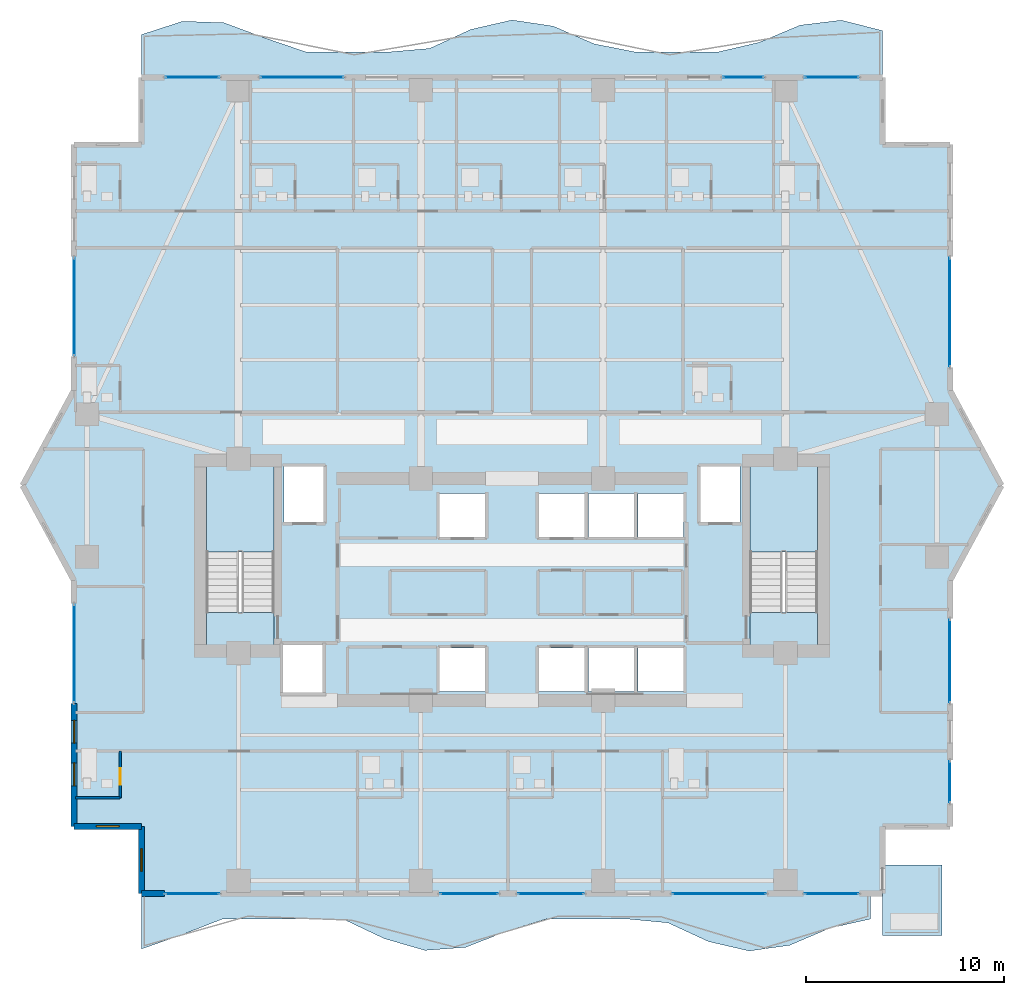
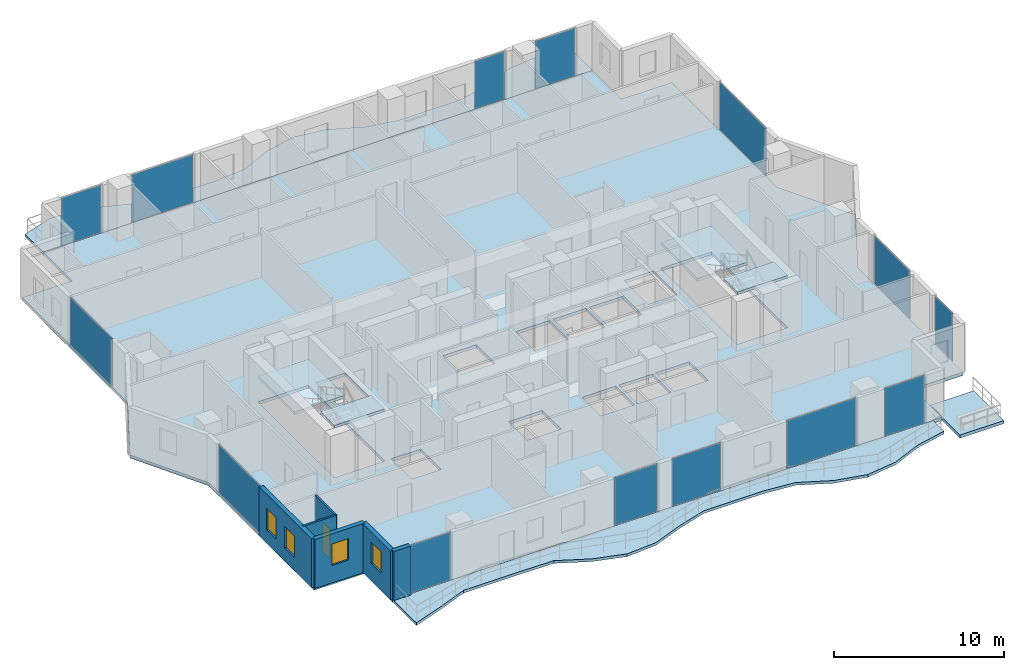
# One storey, part 23 of 33: 14 plates, 8 slabs, 6 walls, 4 windows, 1 door, 5 openings, 16 elements without a shape of their own.
"""IFC4 building model written with IfcOpenShell, lengths in metres."""

from ifc_helpers import new_model, si_unit, direction, frame, frame_2d, origin, origin_2d, place, context, subcontext, project, spatial, polyline, rectangle, outline, extrude, material, layer, layer_set, type_object, element, fill, aggregate, save


model = new_model("IFC4")

# Units and contexts
model_context = context("Model", 3, precision=1e-05, world=origin(), true_north=direction((0.0, 1.0)))
body_context = subcontext(model_context, "Body", "Model", "MODEL_VIEW")
ifc_project = project(units=[si_unit("LENGTHUNIT", "METRE"), si_unit("AREAUNIT", "SQUARE_METRE"), si_unit("VOLUMEUNIT", "CUBIC_METRE"), si_unit("PLANEANGLEUNIT", "RADIAN"), si_unit("MASSUNIT", "GRAM", prefix="KILO")], contexts=[model_context])

# Site, building, storey
site_placement = place(None, origin())
site = spatial("IfcSite", under=ifc_project, at=site_placement, CompositionType="ELEMENT")
building_placement = place(site_placement, origin())
building = spatial("IfcBuilding", under=site, at=building_placement, Name="Zuhayl Quay Hotel", CompositionType="ELEMENT")
storey_placement = place(building_placement, frame((0.0, 0.0, 207.39990234375)))
storey = spatial("IfcBuildingStorey", under=building, at=storey_placement, Name="L52", CompositionType="ELEMENT", Elevation=207.39990234375)

# Curtain wall, plate
ifc_material_1 = material(Name="Anodised Aluminium 6063-T6", Category="aluminium")
ifc_layer_1 = layer(ifc_material_1, 0.175048828125, Name="Anodised Aluminium 6063-T6", Category="aluminium")
ifc_layer_set_1 = layer_set([ifc_layer_1], Name="Anodised Aluminium 6063-T6")
curtain_wall_type = type_object("IfcCurtainWallType", Name="CW_SYS_Z3", PredefinedType="USERDEFINED", material=ifc_layer_set_1)
curtain_wall_1_placement = place(storey_placement, origin())
curtain_wall_1 = element("IfcCurtainWall", 1, at=curtain_wall_1_placement, inside=storey, type_object=curtain_wall_type, Name="L52 Curtain Wall ENV_L52_E02_CW1", ObjectType="UNITISED CURTAIN WALL", PredefinedType="USERDEFINED")
ifc_material_2 = material(Name="Dark Ceramic-Fritted Solar Glass", Category="glass")
ifc_layer_2 = layer(ifc_material_2, 0.0400390625, Name="Dark Ceramic-Fritted Solar Glass", Category="glass")
ifc_layer_set_2 = layer_set([ifc_layer_2], Name="Dark Ceramic-Fritted Solar Glass")
plate_type = type_object("IfcPlateType", Name="PN_OP_VENT_Z3", PredefinedType="CURTAIN_PANEL", material=ifc_layer_set_2)
plate_1_placement = place(storey_placement, frame((-22.10009765625, 4.52490234375, 0.05517578125), z_axis=(0.0, 0.0, 1.0), x_axis=(0.0, 1.0, 0.0)))
plate_1 = element("IfcPlate", 2, at=plate_1_placement, type_object=plate_type, Name="CW-Z3 panel 1.1", PredefinedType="CURTAIN_PANEL", context=body_context, shape_type="SweptSolid", body=[
    extrude(rectangle(XDim=4.919921875, YDim=0.0400390625, at=origin_2d()), origin(), (0.0, 0.0, 1.0), 3.419921875),
])
aggregate(curtain_wall_1, [plate_1])

curtain_wall_2_placement = place(storey_placement, origin())
curtain_wall_2 = element("IfcCurtainWall", 3, at=curtain_wall_2_placement, inside=storey, type_object=curtain_wall_type, Name="L52 Curtain Wall ENV_L52_E05_CW1", ObjectType="UNITISED CURTAIN WALL", PredefinedType="USERDEFINED")
plate_2_placement = place(storey_placement, frame((-22.10009765625, 22.030029296875, 0.05517578125), z_axis=(0.0, 0.0, 1.0), x_axis=(0.0, 1.0, 0.0)))
plate_2 = element("IfcPlate", 4, at=plate_2_placement, type_object=plate_type, Name="CW-Z3 panel 1.1", PredefinedType="CURTAIN_PANEL", context=body_context, shape_type="SweptSolid", body=[
    extrude(rectangle(XDim=4.909912109375, YDim=0.0400390625, at=origin_2d()), origin(), (0.0, 0.0, 1.0), 3.419921875),
])
aggregate(curtain_wall_2, [plate_2])

curtain_wall_3_placement = place(storey_placement, origin())
curtain_wall_3 = element("IfcCurtainWall", 5, at=curtain_wall_3_placement, inside=storey, type_object=curtain_wall_type, Name="L52 Curtain Wall ENV_L52_N_CW1", ObjectType="UNITISED CURTAIN WALL", PredefinedType="USERDEFINED")
plate_3_placement = place(storey_placement, frame((-16.135009765625, 33.60009765625, 0.05517578125), z_axis=(0.0, 0.0, 1.0), x_axis=(1.0, 0.0, 0.0)))
plate_3 = element("IfcPlate", 6, at=plate_3_placement, type_object=plate_type, Name="CW-Z3 panel 1.1", PredefinedType="CURTAIN_PANEL", context=body_context, shape_type="SweptSolid", body=[
    extrude(rectangle(XDim=2.699951171875, YDim=0.0400390625, at=origin_2d()), origin(), (0.0, 0.0, 1.0), 3.419921875),
])
aggregate(curtain_wall_3, [plate_3])

curtain_wall_4_placement = place(storey_placement, origin())
curtain_wall_4 = element("IfcCurtainWall", 7, at=curtain_wall_4_placement, inside=storey, type_object=curtain_wall_type, Name="L52 Curtain Wall ENV_L52_N_CW2", ObjectType="UNITISED CURTAIN WALL", PredefinedType="USERDEFINED")
plate_4_placement = place(storey_placement, frame((-10.60009765625, 33.60009765625, 0.05517578125), z_axis=(0.0, 0.0, 1.0), x_axis=(1.0, 0.0, 0.0)))
plate_4 = element("IfcPlate", 8, at=plate_4_placement, type_object=plate_type, Name="CW-Z3 panel 1.1", PredefinedType="CURTAIN_PANEL", context=body_context, shape_type="SweptSolid", body=[
    extrude(rectangle(XDim=4.169921875, YDim=0.0400390625, at=origin_2d()), origin(), (0.0, 0.0, 1.0), 3.419921875),
])
aggregate(curtain_wall_4, [plate_4])

curtain_wall_5_placement = place(storey_placement, origin())
curtain_wall_5 = element("IfcCurtainWall", 9, at=curtain_wall_5_placement, inside=storey, type_object=curtain_wall_type, Name="L52 Curtain Wall ENV_L52_N_CW3", ObjectType="UNITISED CURTAIN WALL", PredefinedType="USERDEFINED")
plate_5_placement = place(storey_placement, frame((11.672607421875, 33.60009765625, 0.05517578125), z_axis=(0.0, 0.0, 1.0), x_axis=(1.0, 0.0, 0.0)))
plate_5 = element("IfcPlate", 10, at=plate_5_placement, type_object=plate_type, Name="CW-Z3 panel 1.1", PredefinedType="CURTAIN_PANEL", context=body_context, shape_type="SweptSolid", body=[
    extrude(rectangle(XDim=2.02490234375, YDim=0.0400390625, at=origin_2d()), origin(), (0.0, 0.0, 1.0), 3.419921875),
])
aggregate(curtain_wall_5, [plate_5])

curtain_wall_6_placement = place(storey_placement, origin())
curtain_wall_6 = element("IfcCurtainWall", 11, at=curtain_wall_6_placement, inside=storey, type_object=curtain_wall_type, Name="L52 Curtain Wall ENV_L52_N_CW4", ObjectType="UNITISED CURTAIN WALL", PredefinedType="USERDEFINED")
plate_6_placement = place(storey_placement, frame((16.135009765625, 33.60009765625, 0.05517578125), z_axis=(0.0, 0.0, 1.0), x_axis=(1.0, 0.0, 0.0)))
plate_6 = element("IfcPlate", 12, at=plate_6_placement, type_object=plate_type, Name="CW-Z3 panel 1.1", PredefinedType="CURTAIN_PANEL", context=body_context, shape_type="SweptSolid", body=[
    extrude(rectangle(XDim=2.699951171875, YDim=0.0400390625, at=origin_2d()), origin(), (0.0, 0.0, 1.0), 3.419921875),
])
aggregate(curtain_wall_6, [plate_6])

curtain_wall_7_placement = place(storey_placement, origin())
curtain_wall_7 = element("IfcCurtainWall", 13, at=curtain_wall_7_placement, inside=storey, type_object=curtain_wall_type, Name="L52 Curtain Wall ENV_L52_E11_CW1", ObjectType="UNITISED CURTAIN WALL", PredefinedType="USERDEFINED")
plate_7_placement = place(storey_placement, frame((22.10009765625, 21.75, 0.05517578125), z_axis=(0.0, 0.0, 1.0), x_axis=(0.0, -1.0, 0.0)))
plate_7 = element("IfcPlate", 14, at=plate_7_placement, type_object=plate_type, Name="CW-Z3 panel 1.1", PredefinedType="CURTAIN_PANEL", context=body_context, shape_type="SweptSolid", body=[
    extrude(rectangle(XDim=5.469970703125, YDim=0.0400390625, at=origin_2d()), origin(), (0.0, 0.0, 1.0), 3.419921875),
])
aggregate(curtain_wall_7, [plate_7])

curtain_wall_8_placement = place(storey_placement, origin())
curtain_wall_8 = element("IfcCurtainWall", 15, at=curtain_wall_8_placement, inside=storey, type_object=curtain_wall_type, Name="L52 Curtain Wall ENV_L52_E14_CW1", ObjectType="UNITISED CURTAIN WALL", PredefinedType="USERDEFINED")
plate_8_placement = place(storey_placement, frame((22.10009765625, 4.14990234375, 0.05517578125), z_axis=(0.0, 0.0, 1.0), x_axis=(0.0, -1.0, 0.0)))
plate_8 = element("IfcPlate", 16, at=plate_8_placement, type_object=plate_type, Name="CW-Z3 panel 1.1", PredefinedType="CURTAIN_PANEL", context=body_context, shape_type="SweptSolid", body=[
    extrude(rectangle(XDim=4.169921875, YDim=0.0400390625, at=origin_2d()), origin(), (0.0, 0.0, 1.0), 3.419921875),
])
aggregate(curtain_wall_8, [plate_8])

curtain_wall_9_placement = place(storey_placement, origin())
curtain_wall_9 = element("IfcCurtainWall", 17, at=curtain_wall_9_placement, inside=storey, type_object=curtain_wall_type, Name="L52 Curtain Wall ENV_L52_E14_CW2", ObjectType="UNITISED CURTAIN WALL", PredefinedType="USERDEFINED")
plate_9_placement = place(storey_placement, frame((22.10009765625, -1.949951171875, 0.05517578125), z_axis=(0.0, 0.0, 1.0), x_axis=(0.0, -1.0, 0.0)))
plate_9 = element("IfcPlate", 18, at=plate_9_placement, type_object=plate_type, Name="CW-Z3 panel 1.1", PredefinedType="CURTAIN_PANEL", context=body_context, shape_type="SweptSolid", body=[
    extrude(rectangle(XDim=2.070068359375, YDim=0.0400390625, at=origin_2d()), origin(), (0.0, 0.0, 1.0), 3.419921875),
])
aggregate(curtain_wall_9, [plate_9])

curtain_wall_10_placement = place(storey_placement, origin())
curtain_wall_10 = element("IfcCurtainWall", 19, at=curtain_wall_10_placement, inside=storey, type_object=curtain_wall_type, Name="L52 Curtain Wall ENV_L52_S_CW1", ObjectType="UNITISED CURTAIN WALL", PredefinedType="USERDEFINED")
plate_10_placement = place(storey_placement, frame((16.135009765625, -7.60009765625, 0.05517578125), z_axis=(0.0, 0.0, 1.0), x_axis=(-1.0, 0.0, 0.0)))
plate_10 = element("IfcPlate", 20, at=plate_10_placement, type_object=plate_type, Name="CW-Z3 panel 1.1", PredefinedType="CURTAIN_PANEL", context=body_context, shape_type="SweptSolid", body=[
    extrude(rectangle(XDim=2.699951171875, YDim=0.0400390625, at=origin_2d()), origin(), (0.0, 0.0, 1.0), 3.419921875),
])
aggregate(curtain_wall_10, [plate_10])

curtain_wall_11_placement = place(storey_placement, origin())
curtain_wall_11 = element("IfcCurtainWall", 21, at=curtain_wall_11_placement, inside=storey, type_object=curtain_wall_type, Name="L52 Curtain Wall ENV_L52_S_CW2", ObjectType="UNITISED CURTAIN WALL", PredefinedType="USERDEFINED")
plate_11_placement = place(storey_placement, frame((10.465087890625, -7.60009765625, 0.05517578125), z_axis=(0.0, 0.0, 1.0), x_axis=(-1.0, 0.0, 0.0)))
plate_11 = element("IfcPlate", 22, at=plate_11_placement, type_object=plate_type, Name="CW-Z3 panel 1.1", PredefinedType="CURTAIN_PANEL", context=body_context, shape_type="SweptSolid", body=[
    extrude(rectangle(XDim=4.699951171875, YDim=0.0400390625, at=origin_2d()), origin(), (0.0, 0.0, 1.0), 3.419921875),
])
aggregate(curtain_wall_11, [plate_11])

curtain_wall_12_placement = place(storey_placement, origin())
curtain_wall_12 = element("IfcCurtainWall", 23, at=curtain_wall_12_placement, inside=storey, type_object=curtain_wall_type, Name="L52 Curtain Wall ENV_L52_S_CW3", ObjectType="UNITISED CURTAIN WALL", PredefinedType="USERDEFINED")
plate_12_placement = place(storey_placement, frame((1.965087890625, -7.60009765625, 0.05517578125), z_axis=(0.0, 0.0, 1.0), x_axis=(-1.0, 0.0, 0.0)))
plate_12 = element("IfcPlate", 24, at=plate_12_placement, type_object=plate_type, Name="CW-Z3 panel 1.1", PredefinedType="CURTAIN_PANEL", context=body_context, shape_type="SweptSolid", body=[
    extrude(rectangle(XDim=3.300048828125, YDim=0.0400390625, at=origin_2d()), origin(), (0.0, 0.0, 1.0), 3.419921875),
])
aggregate(curtain_wall_12, [plate_12])

curtain_wall_13_placement = place(storey_placement, origin())
curtain_wall_13 = element("IfcCurtainWall", 25, at=curtain_wall_13_placement, inside=storey, type_object=curtain_wall_type, Name="L52 Curtain Wall ENV_L52_S_CW4", ObjectType="UNITISED CURTAIN WALL", PredefinedType="USERDEFINED")
plate_13_placement = place(storey_placement, frame((-2.1650390625, -7.60009765625, 0.05517578125), z_axis=(0.0, 0.0, 1.0), x_axis=(-1.0, 0.0, 0.0)))
plate_13 = element("IfcPlate", 26, at=plate_13_placement, type_object=plate_type, Name="CW-Z3 panel 1.1", PredefinedType="CURTAIN_PANEL", context=body_context, shape_type="SweptSolid", body=[
    extrude(rectangle(XDim=2.89990234375, YDim=0.0400390625, at=origin_2d()), origin(), (0.0, 0.0, 1.0), 3.419921875),
])
aggregate(curtain_wall_13, [plate_13])

curtain_wall_14_placement = place(storey_placement, origin())
curtain_wall_14 = element("IfcCurtainWall", 27, at=curtain_wall_14_placement, inside=storey, type_object=curtain_wall_type, Name="L52 Curtain Wall ENV_L52_S_CW5", ObjectType="UNITISED CURTAIN WALL", PredefinedType="USERDEFINED")
plate_14_placement = place(storey_placement, frame((-16.135009765625, -7.60009765625, 0.05517578125), z_axis=(0.0, 0.0, 1.0), x_axis=(-1.0, 0.0, 0.0)))
plate_14 = element("IfcPlate", 28, at=plate_14_placement, type_object=plate_type, Name="CW-Z3 panel 1.1", PredefinedType="CURTAIN_PANEL", context=body_context, shape_type="SweptSolid", body=[
    extrude(rectangle(XDim=2.699951171875, YDim=0.0400390625, at=origin_2d()), origin(), (0.0, 0.0, 1.0), 3.419921875),
])
aggregate(curtain_wall_14, [plate_14])

# Slabs
ifc_material_3 = material(Name="Concrete C45/55", Category="concrete")
ifc_layer_3 = layer(ifc_material_3, 0.195068359375, Name="Concrete C45/55", Category="concrete")
ifc_layer_set_3 = layer_set([ifc_layer_3], Name="Concrete C45/55")
slab_type_1 = type_object("IfcSlabType", Name="SL_BALCONY_195", PredefinedType="FLOOR", material=ifc_layer_set_3)
slab_1_placement = place(storey_placement, frame((0.0, 0.0, -0.19482421875)))
element("IfcSlab", 29, at=slab_1_placement, inside=storey, type_object=slab_type_1, Name="L52 Exterior Rippling Balcony Slab North", PredefinedType="FLOOR", context=body_context, shape_type="SweptSolid", body=[
    extrude(outline(polyline([(-18.699951171875, 33.60009765625), (18.699951171875, 33.60009765625), (18.699951171875, 35.9580078125), (16.622314453125, 36.485595703125), (14.54443359375, 36.235107421875), (12.466796875, 35.364501953125), (10.388916015625, 34.8798828125), (8.31103515625, 34.8798828125), (6.2333984375, 34.8798828125), (4.155517578125, 35.2880859375), (2.077880859375, 36.186279296875), (0.0, 36.494873046875), (-2.077880859375, 36.01953125), (-4.155517578125, 35.059814453125), (-6.2333984375, 34.8798828125), (-8.31103515625, 34.8798828125), (-10.388916015625, 34.8798828125), (-12.466796875, 35.58935546875), (-14.54443359375, 36.35888671875), (-16.622314453125, 36.43017578125), (-18.699951171875, 35.75830078125), (-18.699951171875, 33.60009765625)])), origin(), (0.0, 0.0, 1.0), 0.19482421875),
])
slab_2_placement = place(storey_placement, frame((0.0, 0.0, -0.19482421875)))
element("IfcSlab", 30, at=slab_2_placement, inside=storey, type_object=slab_type_1, Name="L52 Exterior Rippling Balcony Slab South", PredefinedType="FLOOR", context=body_context, shape_type="SweptSolid", body=[
    extrude(outline(polyline([(-18.699951171875, -10.391845703125), (-16.655517578125, -9.677490234375), (-14.611083984375, -8.8798828125), (-12.566650390625, -8.8798828125), (-10.522216796875, -8.8798828125), (-8.477783203125, -8.905517578125), (-6.433349609375, -9.875), (-4.388916015625, -10.462890625), (-2.344482421875, -10.31005859375), (-0.300048828125, -9.510009765625), (1.744384765625, -8.8798828125), (3.788818359375, -8.8798828125), (5.833251953125, -8.8798828125), (7.877685546875, -9.075927734375), (9.922119140625, -10.01953125), (11.966796875, -10.4931640625), (14.010986328125, -10.20751953125), (16.0556640625, -9.337158203125), (18.10009765625, -8.8798828125), (18.10009765625, -7.60009765625), (-18.699951171875, -7.60009765625), (-18.699951171875, -10.391845703125)])), origin(), (0.0, 0.0, 1.0), 0.19482421875),
])
ifc_layer_4 = layer(ifc_material_3, 0.219970703125, Name="Concrete C45/55", Category="concrete")
ifc_layer_set_4 = layer_set([ifc_layer_4], Name="Concrete C45/55")
slab_type_2 = type_object("IfcSlabType", Name="SL_FLOOR_220", PredefinedType="FLOOR", material=ifc_layer_set_4)
slab_3_placement = place(storey_placement, frame((0.0, 0.0, -0.219970703125)))
element("IfcSlab", 31, at=slab_3_placement, inside=storey, type_object=slab_type_2, Name="L52 Structural Floor Slab", PredefinedType="FLOOR", context=body_context, shape_type="SweptSolid", body=[
    extrude(outline(polyline([(-18.699951171875, -7.60009765625), (18.699951171875, -7.60009765625), (18.699951171875, -4.199951171875), (22.10009765625, -4.199951171875), (22.10009765625, 8.199951171875), (24.699951171875, 13.0), (22.10009765625, 17.800048828125), (22.10009765625, 30.199951171875), (18.699951171875, 30.199951171875), (18.699951171875, 33.60009765625), (-18.699951171875, 33.60009765625), (-18.699951171875, 30.199951171875), (-22.10009765625, 30.199951171875), (-22.10009765625, 17.800048828125), (-24.699951171875, 13.0), (-22.10009765625, 8.199951171875), (-22.10009765625, -4.199951171875), (-18.699951171875, -4.199951171875), (-18.699951171875, -7.60009765625)]), holes=[polyline([(-12.0, 4.949951171875), (-12.0, 13.949951171875), (-15.429931640625, 13.949951171875), (-15.429931640625, 4.949951171875), (-12.0, 4.949951171875)]), polyline([(15.429931640625, 4.949951171875), (15.429931640625, 13.949951171875), (12.0, 13.949951171875), (12.0, 4.949951171875), (15.429931640625, 4.949951171875)]), polyline([(-11.5, 11.14990234375), (-9.5, 11.14990234375), (-9.5, 13.949951171875), (-11.5, 13.949951171875), (-11.5, 11.14990234375)]), polyline([(9.5, 11.14990234375), (11.5, 11.14990234375), (11.5, 13.949951171875), (9.5, 13.949951171875), (9.5, 11.14990234375)]), polyline([(-3.64990234375, 2.60009765625), (-1.35009765625, 2.60009765625), (-1.35009765625, 4.800048828125), (-3.64990234375, 4.800048828125), (-3.64990234375, 2.60009765625)]), polyline([(1.35009765625, 2.60009765625), (3.64990234375, 2.60009765625), (3.64990234375, 4.800048828125), (1.35009765625, 4.800048828125), (1.35009765625, 2.60009765625)]), polyline([(-3.64990234375, 10.39990234375), (-1.35009765625, 10.39990234375), (-1.35009765625, 12.60009765625), (-3.64990234375, 12.60009765625), (-3.64990234375, 10.39990234375)]), polyline([(1.35009765625, 10.39990234375), (3.64990234375, 10.39990234375), (3.64990234375, 12.60009765625), (1.35009765625, 12.60009765625), (1.35009765625, 10.39990234375)]), polyline([(3.85009765625, 2.60009765625), (6.14990234375, 2.60009765625), (6.14990234375, 4.800048828125), (3.85009765625, 4.800048828125), (3.85009765625, 2.60009765625)]), polyline([(6.35009765625, 2.60009765625), (8.64990234375, 2.60009765625), (8.64990234375, 4.800048828125), (6.35009765625, 4.800048828125), (6.35009765625, 2.60009765625)]), polyline([(3.85009765625, 10.39990234375), (6.14990234375, 10.39990234375), (6.14990234375, 12.60009765625), (3.85009765625, 12.60009765625), (3.85009765625, 10.39990234375)]), polyline([(6.35009765625, 10.39990234375), (8.64990234375, 10.39990234375), (8.64990234375, 12.60009765625), (6.35009765625, 12.60009765625), (6.35009765625, 10.39990234375)]), polyline([(-11.550048828125, 2.550048828125), (-9.550048828125, 2.550048828125), (-9.550048828125, 4.949951171875), (-11.550048828125, 4.949951171875), (-11.550048828125, 2.550048828125)])]), origin(), (0.0, 0.0, 1.0), 0.219970703125),
])

# Stair, slabs
stair_type = type_object("IfcStairType", Name="ST_DOGLEG_TOWER", PredefinedType="HALF_TURN_STAIR", material=ifc_material_3)
stair_1_placement = place(storey_placement, origin())
stair_1 = element("IfcStair", 32, at=stair_1_placement, inside=storey, type_object=stair_type, Name="L52 Smokeproof Exit Stair ST1", PredefinedType="HALF_TURN_STAIR")
ifc_layer_5 = layer(ifc_material_3, 0.199951171875, Name="Concrete C45/55", Category="concrete")
ifc_layer_set_5 = layer_set([ifc_layer_5], Name="Concrete C45/55")
slab_type_3 = type_object("IfcSlabType", Name="SL_STAIR_LANDING_200", PredefinedType="LANDING", material=ifc_layer_set_5)
slab_4_placement = place(storey_placement, frame((0.0, 0.0, 1.675048828125)))
slab_4 = element("IfcSlab", 33, at=slab_4_placement, type_object=slab_type_3, Name="ST1 landing 1", PredefinedType="LANDING", context=body_context, shape_type="SweptSolid", body=[
    extrude(outline(polyline([(-12.0, 9.64990234375), (-12.0, 13.949951171875), (-15.429931640625, 13.949951171875), (-15.429931640625, 9.64990234375), (-12.0, 9.64990234375)])), origin(), (0.0, 0.0, 1.0), 0.199951171875),
])
slab_5_placement = place(storey_placement, frame((0.0, 0.0, 3.550048828125)))
slab_5 = element("IfcSlab", 34, at=slab_5_placement, type_object=slab_type_3, Name="ST1 landing 2", PredefinedType="LANDING", context=body_context, shape_type="SweptSolid", body=[
    extrude(outline(polyline([(-12.0, 4.949951171875), (-12.0, 6.590087890625), (-15.429931640625, 6.590087890625), (-15.429931640625, 4.949951171875), (-12.0, 4.949951171875)])), origin(), (0.0, 0.0, 1.0), 0.199951171875),
])
aggregate(stair_1, [slab_4, slab_5])

stair_2_placement = place(storey_placement, origin())
stair_2 = element("IfcStair", 35, at=stair_2_placement, inside=storey, type_object=stair_type, Name="L52 Smokeproof Exit Stair ST2", PredefinedType="HALF_TURN_STAIR")
slab_6_placement = place(storey_placement, frame((0.0, 0.0, 1.675048828125)))
slab_6 = element("IfcSlab", 36, at=slab_6_placement, type_object=slab_type_3, Name="ST2 landing 1", PredefinedType="LANDING", context=body_context, shape_type="SweptSolid", body=[
    extrude(outline(polyline([(15.429931640625, 9.64990234375), (15.429931640625, 13.949951171875), (12.0, 13.949951171875), (12.0, 9.64990234375), (15.429931640625, 9.64990234375)])), origin(), (0.0, 0.0, 1.0), 0.199951171875),
])
slab_7_placement = place(storey_placement, frame((0.0, 0.0, 3.550048828125)))
slab_7 = element("IfcSlab", 37, at=slab_7_placement, type_object=slab_type_3, Name="ST2 landing 2", PredefinedType="LANDING", context=body_context, shape_type="SweptSolid", body=[
    extrude(outline(polyline([(15.429931640625, 4.949951171875), (15.429931640625, 6.590087890625), (12.0, 6.590087890625), (12.0, 4.949951171875), (15.429931640625, 4.949951171875)])), origin(), (0.0, 0.0, 1.0), 0.199951171875),
])
aggregate(stair_2, [slab_6, slab_7])

# Slab
ifc_layer_6 = layer(ifc_material_3, 0.219970703125, Name="Concrete C45/55", Category="concrete")
ifc_layer_set_6 = layer_set([ifc_layer_6], Name="Concrete C45/55")
slab_type_4 = type_object("IfcSlabType", Name="SL_TERRACE_235", PredefinedType="FLOOR", material=ifc_layer_set_6)
slab_8_placement = place(storey_placement, frame((0.0, 0.0, -0.219970703125)))
element("IfcSlab", 38, at=slab_8_placement, inside=storey, type_object=slab_type_4, Name="L52 Exterior Sky-Terrace Slab L52_SPIRAL_SE", PredefinedType="FLOOR", context=body_context, shape_type="SweptSolid", body=[
    extrude(outline(polyline([(18.699951171875, -9.699951171875), (21.699951171875, -9.699951171875), (21.699951171875, -6.14990234375), (18.699951171875, -6.14990234375), (18.699951171875, -9.699951171875)])), origin(), (0.0, 0.0, 1.0), 0.219970703125),
])

# Wall, opening, window
ifc_material_4 = material(Name="Precast concrete C45/55", Category="concrete")
ifc_layer_7 = layer(ifc_material_4, 0.300048828125, Name="Precast concrete C45/55", Category="concrete")
ifc_layer_set_7 = layer_set([ifc_layer_7], Name="Precast concrete C45/55")
wall_type_1 = type_object("IfcWallType", Name="WL_EXT_300", PredefinedType="STANDARD", material=ifc_layer_set_7)
wall_1_placement = place(storey_placement, frame((-18.699951171875, -4.199951171875, 0.0), z_axis=(0.0, 0.0, 1.0), x_axis=(-1.0, 0.0, 0.0)))
wall_1 = element("IfcWall", 39, at=wall_1_placement, inside=storey, type_object=wall_type_1, Name="L52 Exterior Precast Wall ENV_L52_EW01", PredefinedType="STANDARD", context=body_context, shape_type="SweptSolid", body=[
    extrude(rectangle(XDim=3.400146484375, YDim=0.300048828125, at=frame_2d((1.7001953125, 0.0))), origin(), (0.0, 0.0, 1.0), 3.530029296875),
])
opening_1_placement = place(wall_1_placement, frame((1.125, 0.0, 1.25)))
opening_1 = element("IfcOpeningElement", 40, at=opening_1_placement, cuts=wall_1, Name="Opening W01N", PredefinedType="OPENING", context=body_context, shape_type="SweptSolid", body=[
    extrude(rectangle(XDim=1.14990234375, YDim=1.550048828125, at=frame_2d((0.574951171875, 0.77490234375))), frame((0.0, 0.159912109375, 0.0), z_axis=(0.0, -1.0, 0.0), x_axis=(1.0, 0.0, 0.0)), (0.0, 0.0, 1.0), 0.320068359375),
])
window_type = type_object("IfcWindowType", Name="WN_NOTCH_1350", PartitioningType="SINGLE_PANEL", PredefinedType="WINDOW", material=ifc_material_2)
window_1_placement = place(opening_1_placement, origin())
window_1 = element("IfcWindow", 41, at=window_1_placement, inside=storey, type_object=window_type, Name="L52 Corner Notch Window 1", OverallHeight=1.550048828125, OverallWidth=1.14990234375, PartitioningType="SINGLE_PANEL", PredefinedType="WINDOW", context=body_context, shape_type="SweptSolid", body=[
    extrude(rectangle(XDim=1.14990234375, YDim=1.550048828125, at=frame_2d((0.574951171875, 0.77490234375))), frame((0.0, 0.030029296875, 0.0), z_axis=(0.0, -1.0, 0.0), x_axis=(1.0, 0.0, 0.0)), (0.0, 0.0, 1.0), 0.06005859375),
])
fill(opening_1, window_1)

# Wall, openings, windows
wall_2_placement = place(storey_placement, frame((-22.10009765625, -4.199951171875, 0.0), z_axis=(0.0, 0.0, 1.0), x_axis=(0.0, 1.0, 0.0)))
wall_2 = element("IfcWall", 42, at=wall_2_placement, inside=storey, type_object=wall_type_1, Name="L52 Exterior Precast Wall ENV_L52_E02_EW1", PredefinedType="STANDARD", context=body_context, shape_type="SweptSolid", body=[
    extrude(rectangle(XDim=6.199951171875, YDim=0.300048828125, at=frame_2d((3.10009765625, 0.0))), origin(), (0.0, 0.0, 1.0), 3.530029296875),
])
opening_2_placement = place(wall_2_placement, frame((2.044921875, 0.0, 0.949951171875)))
opening_2 = element("IfcOpeningElement", 43, at=opening_2_placement, cuts=wall_2, Name="Opening W01N", PredefinedType="OPENING", context=body_context, shape_type="SweptSolid", body=[
    extrude(rectangle(XDim=1.14990234375, YDim=1.550048828125, at=frame_2d((0.574951171875, 0.77490234375))), frame((0.0, 0.159912109375, 0.0), z_axis=(0.0, -1.0, 0.0), x_axis=(1.0, 0.0, 0.0)), (0.0, 0.0, 1.0), 0.320068359375),
])
opening_3_placement = place(wall_2_placement, frame((4.199951171875, 0.0, 0.949951171875)))
opening_3 = element("IfcOpeningElement", 44, at=opening_3_placement, cuts=wall_2, Name="Opening W01N", PredefinedType="OPENING", context=body_context, shape_type="SweptSolid", body=[
    extrude(rectangle(XDim=1.14990234375, YDim=1.550048828125, at=frame_2d((0.574951171875, 0.77490234375))), frame((0.0, 0.159912109375, 0.0), z_axis=(0.0, -1.0, 0.0), x_axis=(1.0, 0.0, 0.0)), (0.0, 0.0, 1.0), 0.320068359375),
])
window_2_placement = place(opening_2_placement, origin())
window_2 = element("IfcWindow", 45, at=window_2_placement, inside=storey, type_object=window_type, Name="L52 Operable Facade Window 1-1", OverallHeight=1.550048828125, OverallWidth=1.14990234375, PartitioningType="SINGLE_PANEL", PredefinedType="WINDOW", context=body_context, shape_type="SweptSolid", body=[
    extrude(rectangle(XDim=1.14990234375, YDim=1.550048828125, at=frame_2d((0.574951171875, 0.77490234375))), frame((0.0, 0.030029296875, 0.0), z_axis=(0.0, -1.0, 0.0), x_axis=(1.0, 0.0, 0.0)), (0.0, 0.0, 1.0), 0.06005859375),
])
fill(opening_2, window_2)
window_3_placement = place(opening_3_placement, origin())
window_3 = element("IfcWindow", 46, at=window_3_placement, inside=storey, type_object=window_type, Name="L52 Operable Facade Window 1-2", OverallHeight=1.550048828125, OverallWidth=1.14990234375, PartitioningType="SINGLE_PANEL", PredefinedType="WINDOW", context=body_context, shape_type="SweptSolid", body=[
    extrude(rectangle(XDim=1.14990234375, YDim=1.550048828125, at=frame_2d((0.574951171875, 0.77490234375))), frame((0.0, 0.030029296875, 0.0), z_axis=(0.0, -1.0, 0.0), x_axis=(1.0, 0.0, 0.0)), (0.0, 0.0, 1.0), 0.06005859375),
])
fill(opening_3, window_3)

# Wall
wall_3_placement = place(storey_placement, frame((-17.550048828125, -7.60009765625, 0.0), z_axis=(0.0, 0.0, 1.0), x_axis=(-1.0, 0.0, 0.0)))
element("IfcWall", 47, at=wall_3_placement, inside=storey, type_object=wall_type_1, Name="L52 Exterior Precast Wall ENV_L52_S_EW6", PredefinedType="STANDARD", context=body_context, shape_type="SweptSolid", body=[
    extrude(rectangle(XDim=1.14990234375, YDim=0.300048828125, at=frame_2d((0.574951171875, 0.0))), origin(), (0.0, 0.0, 1.0), 3.530029296875),
])

# Wall, opening, window
wall_4_placement = place(storey_placement, frame((-18.699951171875, -7.60009765625, 0.0), z_axis=(0.0, 0.0, 1.0), x_axis=(0.0, 1.0, 0.0)))
wall_4 = element("IfcWall", 48, at=wall_4_placement, inside=storey, type_object=wall_type_1, Name="L52 Exterior Precast Wall ENV_L52_EW18", PredefinedType="STANDARD", context=body_context, shape_type="SweptSolid", body=[
    extrude(rectangle(XDim=3.400146484375, YDim=0.300048828125, at=frame_2d((1.7001953125, 0.0))), origin(), (0.0, 0.0, 1.0), 3.530029296875),
])
opening_4_placement = place(wall_4_placement, frame((1.125, 0.0, 1.25)))
opening_4 = element("IfcOpeningElement", 49, at=opening_4_placement, cuts=wall_4, Name="Opening W01N", PredefinedType="OPENING", context=body_context, shape_type="SweptSolid", body=[
    extrude(rectangle(XDim=1.14990234375, YDim=1.550048828125, at=frame_2d((0.574951171875, 0.77490234375))), frame((0.0, 0.159912109375, 0.0), z_axis=(0.0, -1.0, 0.0), x_axis=(1.0, 0.0, 0.0)), (0.0, 0.0, 1.0), 0.320068359375),
])
window_4_placement = place(opening_4_placement, origin())
window_4 = element("IfcWindow", 50, at=window_4_placement, inside=storey, type_object=window_type, Name="L52 Corner Notch Window 18", OverallHeight=1.550048828125, OverallWidth=1.14990234375, PartitioningType="SINGLE_PANEL", PredefinedType="WINDOW", context=body_context, shape_type="SweptSolid", body=[
    extrude(rectangle(XDim=1.14990234375, YDim=1.550048828125, at=frame_2d((0.574951171875, 0.77490234375))), frame((0.0, 0.030029296875, 0.0), z_axis=(0.0, -1.0, 0.0), x_axis=(1.0, 0.0, 0.0)), (0.0, 0.0, 1.0), 0.06005859375),
])
fill(opening_4, window_4)

# Wall, opening, door
ifc_material_5 = material(Name="Moisture-Resistant Sanitarychase Gypsum")
ifc_layer_8 = layer(ifc_material_5, 0.135009765625, Name="Moisture-Resistant Sanitarychase Gypsum")
ifc_layer_set_8 = layer_set([ifc_layer_8], Name="Moisture-Resistant Sanitarychase Gypsum")
wall_type_2 = type_object("IfcWallType", Name="WL_PART_PLUMB_150", PredefinedType="PLUMBINGWALL", material=ifc_layer_set_8)
wall_5_placement = place(storey_placement, frame((-19.780029296875, -2.760009765625, 0.0), z_axis=(0.0, 0.0, 1.0), x_axis=(0.0, 1.0, 0.0)))
wall_5 = element("IfcWall", 51, at=wall_5_placement, inside=storey, type_object=wall_type_2, Name="L52 Partition IW_L52_SU01_BE", PredefinedType="PLUMBINGWALL", context=body_context, shape_type="SweptSolid", body=[
    extrude(rectangle(XDim=2.360107421875, YDim=0.135009765625, at=frame_2d((1.18017578125, 0.0))), origin(), (0.0, 0.0, 1.0), 3.530029296875),
])
opening_5_placement = place(wall_5_placement, frame((0.64990234375, 0.0, 0.0)))
opening_5 = element("IfcOpeningElement", 52, at=opening_5_placement, cuts=wall_5, Name="Opening D04", PredefinedType="OPENING", context=body_context, shape_type="SweptSolid", body=[
    extrude(rectangle(XDim=0.85009765625, YDim=2.10009765625, at=frame_2d((0.425048828125, 1.050048828125))), frame((0.0, 0.077392578125, 0.0), z_axis=(0.0, -1.0, 0.0), x_axis=(1.0, 0.0, 0.0)), (0.0, 0.0, 1.0), 0.155029296875),
])
ifc_material_6 = material(Name="Moisture-Resistant Walnut Veneer")
door_type = type_object("IfcDoorType", Name="DR_BATH_850", OperationType="NOTDEFINED", PredefinedType="DOOR", material=ifc_material_6)
door_placement = place(opening_5_placement, origin())
door = element("IfcDoor", 53, at=door_placement, inside=storey, type_object=door_type, Name="L52 City-View Junior Suite L52-01 En-Suite Door", OperationType="SINGLE_SWING_RIGHT", OverallHeight=2.10009765625, OverallWidth=0.85009765625, PredefinedType="DOOR", context=body_context, shape_type="SweptSolid", body=[
    extrude(rectangle(XDim=0.85009765625, YDim=2.10009765625, at=frame_2d((0.425048828125, 1.050048828125))), frame((0.0, 0.02490234375, 0.0), z_axis=(0.0, -1.0, 0.0), x_axis=(1.0, 0.0, 0.0)), (0.0, 0.0, 1.0), 0.050048828125),
])
fill(opening_5, door)

# Wall
wall_6_placement = place(storey_placement, frame((-22.0400390625, -2.760009765625, 0.0), z_axis=(0.0, 0.0, 1.0), x_axis=(1.0, 0.0, 0.0)))
element("IfcWall", 54, at=wall_6_placement, inside=storey, type_object=wall_type_2, Name="L52 Partition IW_L52_SU01_BS", PredefinedType="PLUMBINGWALL", context=body_context, shape_type="SweptSolid", body=[
    extrude(rectangle(XDim=2.260009765625, YDim=0.135009765625, at=frame_2d((1.1298828125, 0.0))), origin(), (0.0, 0.0, 1.0), 3.530029296875),
])

save(model, "model.ifc")
